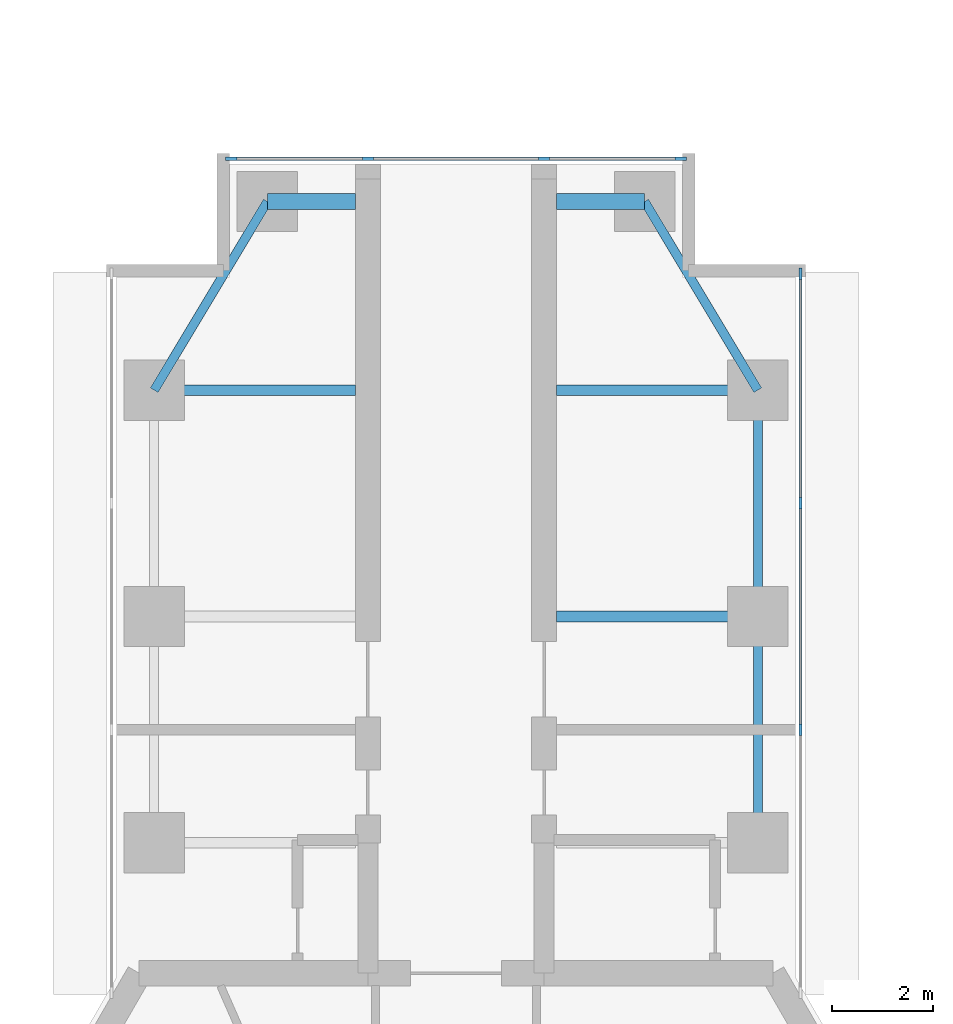
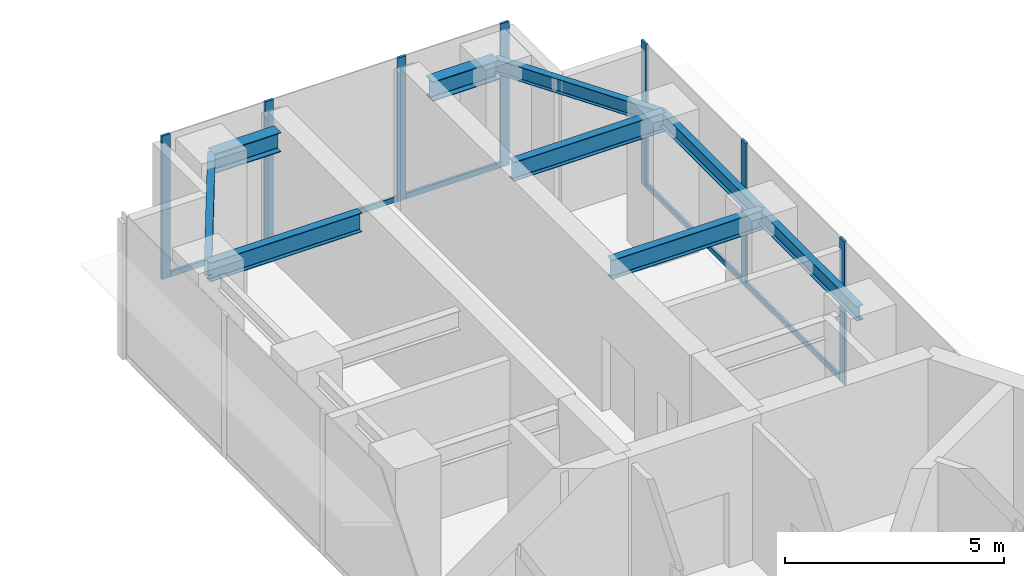
# One storey, part 9 of 17: 12 members, 9 beams, 2 elements without a shape of their own.
"""IFC4 building model written with IfcOpenShell, lengths in metres."""

from ifc_helpers import new_model, si_unit, direction, frame, origin, origin_2d, place, context, subcontext, project, spatial, rectangle, i_section, extrude, material, material_profile, profile_set, type_object, element, aggregate, save


model = new_model("IFC4")

# Units and contexts
model_context = context("Model", 3, precision=1e-05, world=origin(), true_north=direction((0.0, 1.0)))
body_context = subcontext(model_context, "Body", "Model", "MODEL_VIEW")
ifc_project = project(units=[si_unit("LENGTHUNIT", "METRE"), si_unit("AREAUNIT", "SQUARE_METRE"), si_unit("VOLUMEUNIT", "CUBIC_METRE"), si_unit("PLANEANGLEUNIT", "RADIAN"), si_unit("MASSUNIT", "GRAM", prefix="KILO")], contexts=[model_context])

# Site, building, storey
site_placement = place(None, origin())
site = spatial("IfcSite", under=ifc_project, at=site_placement, CompositionType="ELEMENT")
building_placement = place(site_placement, origin())
building = spatial("IfcBuilding", under=site, at=building_placement, Name="Upepo Twin Towers", CompositionType="ELEMENT")
storey_placement = place(building_placement, frame((0.0, 0.0, 182.5)))
storey = spatial("IfcBuildingStorey", under=building, at=storey_placement, Name="L44", CompositionType="ELEMENT", Elevation=182.5)

# Beams
ifc_material_1 = material(Name="Steel S355", Category="steel")
ifc_material_profile_1 = material_profile(ifc_material_1, i_section(OverallWidth=0.177978515625, OverallDepth=0.406494140625, WebThickness=0.0078125, FlangeThickness=0.0126953125, FilletRadius=0.01025390625, at=origin_2d()), Name="UB 406x178x60")
ifc_profile_set_1 = profile_set([ifc_material_profile_1], Name="Steel S355")
beam_type_1 = type_object("IfcBeamType", Name="Beam UB 406x178x60", PredefinedType="BEAM", material=ifc_profile_set_1)
beam_1_placement = place(storey_placement, frame((52.5, 4.5, 3.5966796875), z_axis=(0.514495755428, 0.857492925713, 0.0), x_axis=(-0.857492925713, 0.514495755428, 0.0)))
element("IfcBeam", 1, at=beam_1_placement, inside=storey, type_object=beam_type_1, Name="T2 nose edge beam AL", PredefinedType="BEAM", context=body_context, shape_type="SweptSolid", body=[
    extrude(i_section(OverallWidth=0.177978515625, OverallDepth=0.406494140625, WebThickness=0.0078125, FlangeThickness=0.0126953125, FilletRadius=0.01025390625, at=origin_2d()), origin(), (0.0, 0.0, 1.0), 4.373291015625),
])
for number, where, z_axis, x_axis, name in (
    (2, (64.5, -4.5, 3.5966796875), (0.0, 1.0, 0.0), (-1.0, 0.0, 0.0), "T2 edge beam AR 13.5-18.0"),
    (3, (64.5, 0.0, 3.5966796875), (0.0, 1.0, 0.0), (-1.0, 0.0, 0.0), "T2 edge beam AR 18.0-22.5"),
):
    element("IfcBeam", number, at=place(storey_placement, frame(where, z_axis=z_axis, x_axis=x_axis)), inside=storey, type_object=beam_type_1, Name=name, PredefinedType="BEAM", context=body_context, shape_type="SweptSolid", body=[
        extrude(i_section(OverallWidth=0.177978515625, OverallDepth=0.406494140625, WebThickness=0.0078125, FlangeThickness=0.0126953125, FilletRadius=0.01025390625, at=origin_2d()), origin(), (0.0, 0.0, 1.0), 4.5),
    ])
beam_2_placement = place(storey_placement, frame((64.5, 4.5, 3.5966796875), z_axis=(-0.514495755428, 0.857492925713, 0.0), x_axis=(-0.857492925713, -0.514495755428, 0.0)))
element("IfcBeam", 4, at=beam_2_placement, inside=storey, type_object=beam_type_1, Name="T2 nose edge beam AR", PredefinedType="BEAM", context=body_context, shape_type="SweptSolid", body=[
    extrude(i_section(OverallWidth=0.177978515625, OverallDepth=0.406494140625, WebThickness=0.0078125, FlangeThickness=0.0126953125, FilletRadius=0.01025390625, at=origin_2d()), origin(), (0.0, 0.0, 1.0), 4.373291015625),
])
ifc_material_2 = material(Name="Steel S355", Category="steel")
ifc_material_profile_2 = material_profile(ifc_material_2, i_section(OverallWidth=0.209228515625, OverallDepth=0.533203125, WebThickness=0.010009765625, FlangeThickness=0.015625, FilletRadius=0.0126953125, at=origin_2d()), Name="UB 533x210x92")
ifc_profile_set_2 = profile_set([ifc_material_profile_2], Name="Steel S355")
beam_type_2 = type_object("IfcBeamType", Name="Beam UB 533x210x92", PredefinedType="BEAM", material=ifc_profile_set_2)
for number, where, z_axis, x_axis, name in (
    (5, (52.5, 4.5, 3.533447265625), (1.0, 0.0, 0.0), (0.0, 1.0, 0.0), "T2 girder AL at 22.5"),
    (6, (64.5, 0.0, 3.533447265625), (-1.0, 0.0, 0.0), (0.0, -1.0, 0.0), "T2 girder AR at 18.0"),
    (7, (64.5, 4.5, 3.533447265625), (-1.0, 0.0, 0.0), (0.0, -1.0, 0.0), "T2 girder AR at 22.5"),
):
    element("IfcBeam", number, at=place(storey_placement, frame(where, z_axis=z_axis, x_axis=x_axis)), inside=storey, type_object=beam_type_2, Name=name, PredefinedType="BEAM", context=body_context, shape_type="SweptSolid", body=[
        extrude(i_section(OverallWidth=0.209228515625, OverallDepth=0.533203125, WebThickness=0.010009765625, FlangeThickness=0.015625, FilletRadius=0.0126953125, at=origin_2d()), origin(), (0.0, 0.0, 1.0), 4.0),
    ])
ifc_material_3 = material(Name="Steel S355", Category="steel")
ifc_material_profile_3 = material_profile(ifc_material_3, i_section(OverallWidth=0.31201171875, OverallDepth=0.54345703125, WebThickness=0.0126953125, FlangeThickness=0.020263671875, FilletRadius=0.0126953125, at=origin_2d()), Name="UB 533x312x150")
ifc_profile_set_3 = profile_set([ifc_material_profile_3], Name="Steel S355")
beam_type_3 = type_object("IfcBeamType", Name="Beam UB 533x312x150", PredefinedType="BEAM", material=ifc_profile_set_3)
for number, where, z_axis, x_axis, name in (
    (8, (54.75, 8.25, 3.5283203125), (1.0, 0.0, 0.0), (0.0, 1.0, 0.0), "T2 nose beam AL"),
    (9, (62.25, 8.25, 3.5283203125), (-1.0, 0.0, 0.0), (0.0, -1.0, 0.0), "T2 nose beam AR"),
):
    element("IfcBeam", number, at=place(storey_placement, frame(where, z_axis=z_axis, x_axis=x_axis)), inside=storey, type_object=beam_type_3, Name=name, PredefinedType="BEAM", context=body_context, shape_type="SweptSolid", body=[
        extrude(i_section(OverallWidth=0.31201171875, OverallDepth=0.54345703125, WebThickness=0.0126953125, FlangeThickness=0.020263671875, FilletRadius=0.0126953125, at=origin_2d()), origin(), (0.0, 0.0, 1.0), 1.75),
    ])

# Curtain wall, members
ifc_material_4 = material(Name="Aluminium and fritted glass", Category="aluminium")
curtain_wall_type = type_object("IfcCurtainWallType", Name="Tower curtain wall TW3, fritted glass", PredefinedType="NOTDEFINED", material=ifc_material_4)
curtain_wall_1_placement = place(storey_placement, origin())
curtain_wall_1 = element("IfcCurtainWall", 10, at=curtain_wall_1_placement, inside=storey, type_object=curtain_wall_type, Name="T2 L44 wing A flank R curtain wall", PredefinedType="NOTDEFINED")
ifc_material_5 = material(Name="Aluminium mullion", Category="aluminium")
ifc_material_profile_4 = material_profile(ifc_material_5, rectangle(XDim=0.06494140625, YDim=0.22509765625, at=origin_2d()), Name="MULLION 65x225")
ifc_profile_set_4 = profile_set([ifc_material_profile_4], Name="Aluminium mullion")
member_type_1 = type_object("IfcMemberType", Name="Mullion 65x225 TW3", PredefinedType="MULLION", material=ifc_profile_set_4)
member_1_placement = place(storey_placement, frame((65.35009765625, 6.8173828125, 0.0), z_axis=(0.0, 0.0, 1.0), x_axis=(1.0, 0.0, 0.0)))
member_1 = element("IfcMember", 11, at=member_1_placement, type_object=member_type_1, Name="T2 L44 wing A flank R curtain wall mullion 1", PredefinedType="MULLION", context=body_context, shape_type="SweptSolid", body=[
    extrude(rectangle(XDim=0.06494140625, YDim=0.22509765625, at=origin_2d()), origin(), (0.0, 0.0, 1.0), 4.0),
])
member_2_placement = place(storey_placement, frame((65.35009765625, 2.25, 0.0), z_axis=(0.0, 0.0, 1.0), x_axis=(1.0, 0.0, 0.0)))
member_2 = element("IfcMember", 12, at=member_2_placement, type_object=member_type_1, Name="T2 L44 wing A flank R curtain wall mullion 2", PredefinedType="MULLION", context=body_context, shape_type="SweptSolid", body=[
    extrude(rectangle(XDim=0.06494140625, YDim=0.22509765625, at=origin_2d()), origin(), (0.0, 0.0, 1.0), 4.0),
])
member_3_placement = place(storey_placement, frame((65.35009765625, -2.25, 0.0), z_axis=(0.0, 0.0, 1.0), x_axis=(1.0, 0.0, 0.0)))
member_3 = element("IfcMember", 13, at=member_3_placement, type_object=member_type_1, Name="T2 L44 wing A flank R curtain wall mullion 3", PredefinedType="MULLION", context=body_context, shape_type="SweptSolid", body=[
    extrude(rectangle(XDim=0.06494140625, YDim=0.22509765625, at=origin_2d()), origin(), (0.0, 0.0, 1.0), 4.0),
])

curtain_wall_2_placement = place(storey_placement, origin())
curtain_wall_2 = element("IfcCurtainWall", 14, at=curtain_wall_2_placement, inside=storey, type_object=curtain_wall_type, Name="T2 L44 wing A nose curtain wall", PredefinedType="NOTDEFINED")
member_4_placement = place(storey_placement, frame((62.967529296875, 9.10009765625, 0.0), z_axis=(0.0, 0.0, 1.0), x_axis=(0.0, -1.0, 0.0)))
member_4 = element("IfcMember", 15, at=member_4_placement, type_object=member_type_1, Name="T2 L44 wing A nose curtain wall mullion 1", PredefinedType="MULLION", context=body_context, shape_type="SweptSolid", body=[
    extrude(rectangle(XDim=0.06494140625, YDim=0.22509765625, at=origin_2d()), origin(), (0.0, 0.0, 1.0), 4.0),
])
member_5_placement = place(storey_placement, frame((60.25, 9.10009765625, 0.0), z_axis=(0.0, 0.0, 1.0), x_axis=(0.0, -1.0, 0.0)))
member_5 = element("IfcMember", 16, at=member_5_placement, type_object=member_type_1, Name="T2 L44 wing A nose curtain wall mullion 2", PredefinedType="MULLION", context=body_context, shape_type="SweptSolid", body=[
    extrude(rectangle(XDim=0.06494140625, YDim=0.22509765625, at=origin_2d()), origin(), (0.0, 0.0, 1.0), 4.0),
])
member_6_placement = place(storey_placement, frame((56.75, 9.10009765625, 0.0), z_axis=(0.0, 0.0, 1.0), x_axis=(0.0, -1.0, 0.0)))
member_6 = element("IfcMember", 17, at=member_6_placement, type_object=member_type_1, Name="T2 L44 wing A nose curtain wall mullion 3", PredefinedType="MULLION", context=body_context, shape_type="SweptSolid", body=[
    extrude(rectangle(XDim=0.06494140625, YDim=0.22509765625, at=origin_2d()), origin(), (0.0, 0.0, 1.0), 4.0),
])
member_7_placement = place(storey_placement, frame((54.032470703125, 9.10009765625, 0.0), z_axis=(0.0, 0.0, 1.0), x_axis=(0.0, -1.0, 0.0)))
member_7 = element("IfcMember", 18, at=member_7_placement, type_object=member_type_1, Name="T2 L44 wing A nose curtain wall mullion 4", PredefinedType="MULLION", context=body_context, shape_type="SweptSolid", body=[
    extrude(rectangle(XDim=0.06494140625, YDim=0.22509765625, at=origin_2d()), origin(), (0.0, 0.0, 1.0), 4.0),
])

# Member
ifc_material_6 = material(Name="Aluminium transom", Category="aluminium")
ifc_material_profile_5 = material_profile(ifc_material_6, rectangle(XDim=0.06494140625, YDim=0.14990234375, at=origin_2d()), Name="TRANSOM 65x150")
ifc_profile_set_5 = profile_set([ifc_material_profile_5], Name="Aluminium transom")
member_type_2 = type_object("IfcMemberType", Name="Transom 65x150 TW3", PredefinedType="USERDEFINED", material=ifc_profile_set_5)
member_8_placement = place(storey_placement, frame((65.35009765625, 6.784912109375, 0.074951171875), z_axis=(0.0, -1.0, 0.0), x_axis=(1.0, 0.0, 0.0)))
member_8 = element("IfcMember", 19, at=member_8_placement, type_object=member_type_2, Name="T2 L44 wing A flank R curtain wall transom 1", ObjectType="TRANSOM", PredefinedType="USERDEFINED", context=body_context, shape_type="SweptSolid", body=[
    extrude(rectangle(XDim=0.06494140625, YDim=0.14990234375, at=origin_2d()), origin(), (0.0, 0.0, 1.0), 4.50244140625),
])

member_9_placement = place(storey_placement, frame((65.35009765625, 2.217529296875, 0.074951171875), z_axis=(0.0, -1.0, 0.0), x_axis=(1.0, 0.0, 0.0)))
member_9 = element("IfcMember", 20, at=member_9_placement, type_object=member_type_2, Name="T2 L44 wing A flank R curtain wall transom 2", ObjectType="TRANSOM", PredefinedType="USERDEFINED", context=body_context, shape_type="SweptSolid", body=[
    extrude(rectangle(XDim=0.06494140625, YDim=0.14990234375, at=origin_2d()), origin(), (0.0, 0.0, 1.0), 4.43505859375),
])

aggregate(curtain_wall_1, [member_1, member_2, member_3, member_8, member_9])

member_10_placement = place(storey_placement, frame((62.93505859375, 9.10009765625, 0.074951171875), z_axis=(-1.0, 0.0, 0.0), x_axis=(0.0, -1.0, 0.0)))
member_10 = element("IfcMember", 21, at=member_10_placement, type_object=member_type_2, Name="T2 L44 wing A nose curtain wall transom 1", ObjectType="TRANSOM", PredefinedType="USERDEFINED", context=body_context, shape_type="SweptSolid", body=[
    extrude(rectangle(XDim=0.06494140625, YDim=0.14990234375, at=origin_2d()), origin(), (0.0, 0.0, 1.0), 2.652587890625),
])

member_11_placement = place(storey_placement, frame((60.217529296875, 9.10009765625, 0.074951171875), z_axis=(-1.0, 0.0, 0.0), x_axis=(0.0, -1.0, 0.0)))
member_11 = element("IfcMember", 22, at=member_11_placement, type_object=member_type_2, Name="T2 L44 wing A nose curtain wall transom 2", ObjectType="TRANSOM", PredefinedType="USERDEFINED", context=body_context, shape_type="SweptSolid", body=[
    extrude(rectangle(XDim=0.06494140625, YDim=0.14990234375, at=origin_2d()), origin(), (0.0, 0.0, 1.0), 3.43505859375),
])

member_12_placement = place(storey_placement, frame((56.717529296875, 9.10009765625, 0.074951171875), z_axis=(-1.0, 0.0, 0.0), x_axis=(0.0, -1.0, 0.0)))
member_12 = element("IfcMember", 23, at=member_12_placement, type_object=member_type_2, Name="T2 L44 wing A nose curtain wall transom 3", ObjectType="TRANSOM", PredefinedType="USERDEFINED", context=body_context, shape_type="SweptSolid", body=[
    extrude(rectangle(XDim=0.06494140625, YDim=0.14990234375, at=origin_2d()), origin(), (0.0, 0.0, 1.0), 2.652587890625),
])

aggregate(curtain_wall_2, [member_4, member_5, member_6, member_7, member_10, member_11, member_12])

save(model, "model.ifc")
